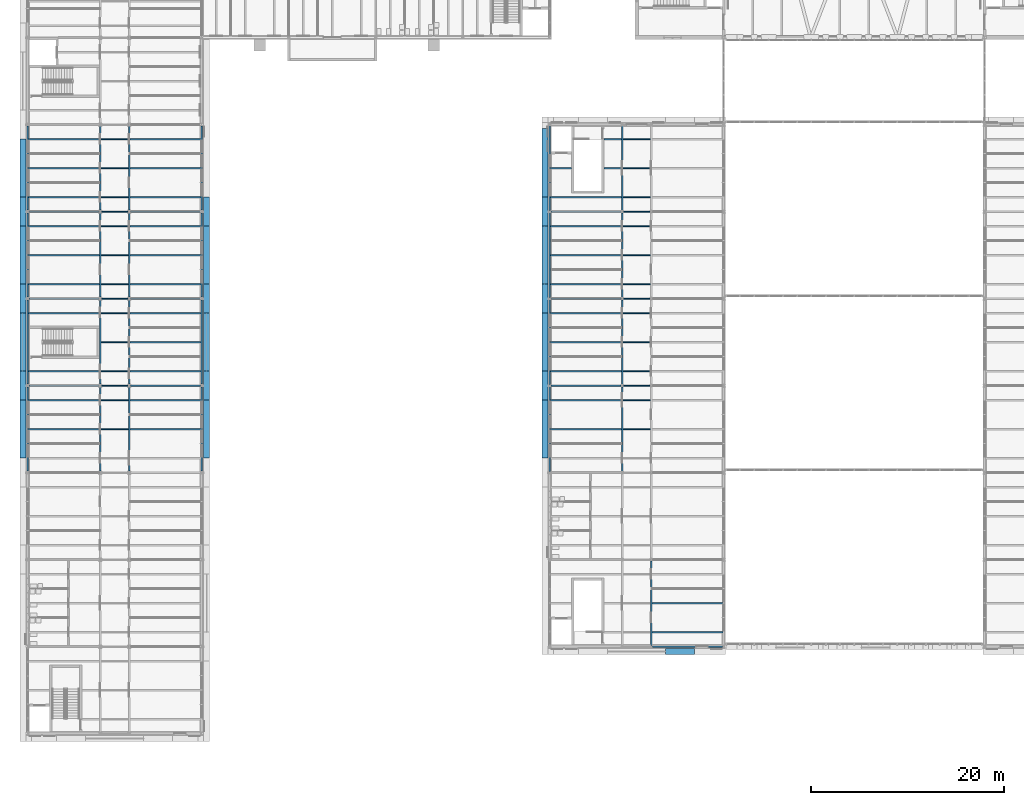
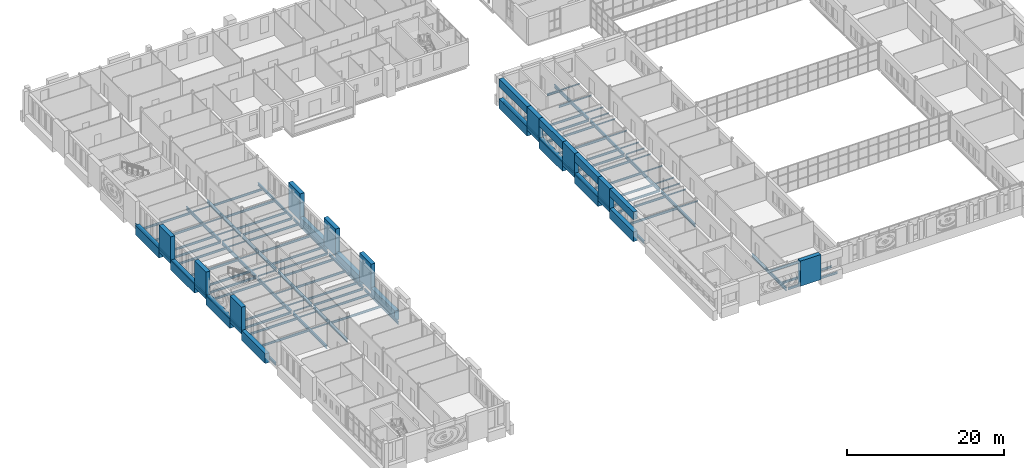
# One storey, part 21 of 154: 113 beams, 10 members.
"""IFC4 building model written with IfcOpenShell, lengths in metres."""

from ifc_helpers import new_model, si_unit, direction, frame, origin, origin_2d, place, context, subcontext, project, spatial, rectangle, i_section, extrude, material, material_profile, profile_set, type_object, element, save


model = new_model("IFC4")

# Units and contexts
model_context = context("Model", 3, precision=1e-05, world=origin(), true_north=direction((0.0, 1.0)))
body_context = subcontext(model_context, "Body", "Model", "MODEL_VIEW")
ifc_project = project(units=[si_unit("LENGTHUNIT", "METRE"), si_unit("AREAUNIT", "SQUARE_METRE"), si_unit("VOLUMEUNIT", "CUBIC_METRE"), si_unit("PLANEANGLEUNIT", "RADIAN"), si_unit("MASSUNIT", "GRAM", prefix="KILO")], contexts=[model_context])

# Site, building, storey
site_placement = place(None, origin())
site = spatial("IfcSite", under=ifc_project, at=site_placement, CompositionType="ELEMENT")
building_placement = place(site_placement, origin())
building = spatial("IfcBuilding", under=site, at=building_placement, Name="Golden Quay Civic Hall", CompositionType="ELEMENT")
storey_placement = place(building_placement, frame((0.0, 0.0, 14.39990234375)))
storey = spatial("IfcBuildingStorey", under=building, at=storey_placement, Name="L03", CompositionType="ELEMENT", Elevation=14.39990234375)

# Members
ifc_material_1 = material(Name="Concrete C40/50", Category="concrete")
ifc_material_profile_1 = material_profile(ifc_material_1, rectangle(XDim=3.0, YDim=0.60009765625, at=origin_2d()), Name="RC 3000x600")
ifc_profile_set_1 = profile_set([ifc_material_profile_1], Name="Concrete C40/50")
member_type = type_object("IfcMemberType", Name="Precast concrete facade pier 3000 x 600", PredefinedType="POST", material=ifc_profile_set_1)
for number, where, z_axis, x_axis, name in (
    (1, (-0.5, 27.0, 0.0), (0.0, 0.0, 1.0), (0.0, 1.0, 0.0), "Precast concrete facade pier 3000 x 600 L03 3"),
    (2, (-0.5, 36.0, 0.0), (0.0, 0.0, 1.0), (0.0, 1.0, 0.0), "Precast concrete facade pier 3000 x 600 L03 4"),
    (3, (-0.5, 45.0, 0.0), (0.0, 0.0, 1.0), (0.0, 1.0, 0.0), "Precast concrete facade pier 3000 x 600 L03 5"),
    (4, (18.5, 27.0, 0.0), (0.0, 0.0, 1.0), (0.0, 1.0, 0.0), "Precast concrete facade pier 3000 x 600 L03 14"),
    (5, (18.5, 36.0, 0.0), (0.0, 0.0, 1.0), (0.0, 1.0, 0.0), "Precast concrete facade pier 3000 x 600 L03 15"),
    (6, (18.5, 45.0, 0.0), (0.0, 0.0, 1.0), (0.0, 1.0, 0.0), "Precast concrete facade pier 3000 x 600 L03 16"),
):
    element("IfcMember", number, at=place(storey_placement, frame(where, z_axis=z_axis, x_axis=x_axis)), inside=storey, type_object=member_type, Name=name, PredefinedType="POST", context=body_context, shape_type="SweptSolid", body=[
        extrude(rectangle(XDim=3.0, YDim=0.60009765625, at=origin_2d()), origin(), (0.0, 0.0, 1.0), 4.2001953125),
    ])
for number, where, z_axis, x_axis, name in (
    (7, (53.5, 27.0, 0.0), (0.0, 0.0, 1.0), (0.0, 1.0, 0.0), "Precast concrete facade pier 3000 x 600 L03 20"),
    (8, (53.5, 36.0, 0.0), (0.0, 0.0, 1.0), (0.0, 1.0, 0.0), "Precast concrete facade pier 3000 x 600 L03 21"),
    (9, (53.5, 45.0, 0.0), (0.0, 0.0, 1.0), (0.0, 1.0, 0.0), "Precast concrete facade pier 3000 x 600 L03 22"),
):
    element("IfcMember", number, at=place(storey_placement, frame(where, z_axis=z_axis, x_axis=x_axis)), inside=storey, type_object=member_type, Name=name, PredefinedType="POST", context=body_context, shape_type="SweptSolid", body=[
        extrude(rectangle(XDim=3.0, YDim=0.60009765625, at=origin_2d()), origin(), (0.0, 0.0, 1.0), 3.68017578125),
    ])
member_placement = place(storey_placement, frame((67.5, -0.5, 0.0), z_axis=(0.0, 0.0, 1.0), x_axis=(1.0, 0.0, 0.0)))
element("IfcMember", 10, at=member_placement, inside=storey, type_object=member_type, Name="Precast concrete facade pier 3000 x 600 L03 26", PredefinedType="POST", context=body_context, shape_type="SweptSolid", body=[
    extrude(rectangle(XDim=3.0, YDim=0.60009765625, at=origin_2d()), origin(), (0.0, 0.0, 1.0), 3.920166015625),
])

# Beams
ifc_material_2 = material(Name="Concrete C40/50", Category="concrete")
ifc_material_profile_2 = material_profile(ifc_material_2, rectangle(XDim=0.60009765625, YDim=1.199951171875, at=origin_2d()), Name="RC 600x1200")
ifc_profile_set_2 = profile_set([ifc_material_profile_2], Name="Concrete C40/50")
beam_type_1 = type_object("IfcBeamType", Name="Precast concrete spandrel beam 600 x 1200", PredefinedType="SPANDREL", material=ifc_profile_set_2)
beam_1_placement = place(storey_placement, frame((53.5, 46.5, 3.080078125), z_axis=(0.0, 1.0, 0.0), x_axis=(-1.0, 0.0, 0.0)))
element("IfcBeam", 11, at=beam_1_placement, inside=storey, type_object=beam_type_1, Name="Precast concrete spandrel beam 600 x 1200 L03 1", PredefinedType="SPANDREL", context=body_context, shape_type="SweptSolid", body=[
    extrude(rectangle(XDim=0.60009765625, YDim=1.199951171875, at=origin_2d()), origin(), (0.0, 0.0, 1.0), 7.10009765625),
])
for number, where, z_axis, x_axis, name in (
    (12, (53.5, 37.5, 3.080078125), (0.0, 1.0, 0.0), (-1.0, 0.0, 0.0), "Precast concrete spandrel beam 600 x 1200 L03 5"),
    (13, (53.5, 28.5, 3.080078125), (0.0, 1.0, 0.0), (-1.0, 0.0, 0.0), "Precast concrete spandrel beam 600 x 1200 L03 6"),
    (14, (53.5, 19.5, 3.080078125), (0.0, 1.0, 0.0), (-1.0, 0.0, 0.0), "Precast concrete spandrel beam 600 x 1200 L03 7"),
):
    element("IfcBeam", number, at=place(storey_placement, frame(where, z_axis=z_axis, x_axis=x_axis)), inside=storey, type_object=beam_type_1, Name=name, PredefinedType="SPANDREL", context=body_context, shape_type="SweptSolid", body=[
        extrude(rectangle(XDim=0.60009765625, YDim=1.199951171875, at=origin_2d()), origin(), (0.0, 0.0, 1.0), 6.0),
    ])
ifc_material_3 = material(Name="Concrete C40/50", Category="concrete")
ifc_material_profile_3 = material_profile(ifc_material_3, rectangle(XDim=0.60009765625, YDim=1.5, at=origin_2d()), Name="RC 600x1500")
ifc_profile_set_3 = profile_set([ifc_material_profile_3], Name="Concrete C40/50")
beam_type_2 = type_object("IfcBeamType", Name="Precast concrete spandrel beam 600 x 1500", PredefinedType="SPANDREL", material=ifc_profile_set_3)
for number, where, z_axis, x_axis, name in (
    (15, (-0.5, 37.5, -0.14990234375), (0.0, 1.0, 0.0), (-1.0, 0.0, 0.0), "Precast concrete spandrel beam 600 x 1500 L03 1"),
    (16, (-0.5, 46.5, -0.14990234375), (0.0, 1.0, 0.0), (-1.0, 0.0, 0.0), "Precast concrete spandrel beam 600 x 1500 L03 8"),
    (17, (-0.5, 28.5, -0.14990234375), (0.0, 1.0, 0.0), (-1.0, 0.0, 0.0), "Precast concrete spandrel beam 600 x 1500 L03 9"),
    (18, (-0.5, 19.5, -0.14990234375), (0.0, 1.0, 0.0), (-1.0, 0.0, 0.0), "Precast concrete spandrel beam 600 x 1500 L03 10"),
    (19, (18.5, 19.5, -0.14990234375), (0.0, 1.0, 0.0), (-1.0, 0.0, 0.0), "Precast concrete spandrel beam 600 x 1500 L03 15"),
    (20, (18.5, 37.5, -0.14990234375), (0.0, 1.0, 0.0), (-1.0, 0.0, 0.0), "Precast concrete spandrel beam 600 x 1500 L03 16"),
    (21, (18.5, 28.5, -0.14990234375), (0.0, 1.0, 0.0), (-1.0, 0.0, 0.0), "Precast concrete spandrel beam 600 x 1500 L03 17"),
):
    element("IfcBeam", number, at=place(storey_placement, frame(where, z_axis=z_axis, x_axis=x_axis)), inside=storey, type_object=beam_type_2, Name=name, PredefinedType="SPANDREL", context=body_context, shape_type="SweptSolid", body=[
        extrude(rectangle(XDim=0.60009765625, YDim=1.5, at=origin_2d()), origin(), (0.0, 0.0, 1.0), 6.0),
    ])
beam_2_placement = place(storey_placement, frame((53.5, 46.5, -0.14990234375), z_axis=(0.0, 1.0, 0.0), x_axis=(-1.0, 0.0, 0.0)))
element("IfcBeam", 22, at=beam_2_placement, inside=storey, type_object=beam_type_2, Name="Precast concrete spandrel beam 600 x 1500 L03 20", PredefinedType="SPANDREL", context=body_context, shape_type="SweptSolid", body=[
    extrude(rectangle(XDim=0.60009765625, YDim=1.5, at=origin_2d()), origin(), (0.0, 0.0, 1.0), 7.10009765625),
])
for number, where, z_axis, x_axis, name in (
    (23, (53.5, 37.5, -0.14990234375), (0.0, 1.0, 0.0), (-1.0, 0.0, 0.0), "Precast concrete spandrel beam 600 x 1500 L03 24"),
    (24, (53.5, 28.5, -0.14990234375), (0.0, 1.0, 0.0), (-1.0, 0.0, 0.0), "Precast concrete spandrel beam 600 x 1500 L03 25"),
    (25, (53.5, 19.5, -0.14990234375), (0.0, 1.0, 0.0), (-1.0, 0.0, 0.0), "Precast concrete spandrel beam 600 x 1500 L03 26"),
):
    element("IfcBeam", number, at=place(storey_placement, frame(where, z_axis=z_axis, x_axis=x_axis)), inside=storey, type_object=beam_type_2, Name=name, PredefinedType="SPANDREL", context=body_context, shape_type="SweptSolid", body=[
        extrude(rectangle(XDim=0.60009765625, YDim=1.5, at=origin_2d()), origin(), (0.0, 0.0, 1.0), 6.0),
    ])
ifc_material_4 = material(Name="Steel S355", Category="steel")
ifc_material_profile_4 = material_profile(ifc_material_4, i_section(OverallWidth=0.10009765625, OverallDepth=0.199951171875, WebThickness=0.005615234375, FlangeThickness=0.008544921875, FilletRadius=0.011962890625, at=origin_2d()), Name="IPE 200")
ifc_profile_set_4 = profile_set([ifc_material_profile_4], Name="Steel S355")
beam_type_3 = type_object("IfcBeamType", Name="Steel beam IPE 200", PredefinedType="BEAM", material=ifc_profile_set_4)
for number, where, z_axis, x_axis, name in (
    (26, (7.64990234375, 27.0, -0.2998046875), (1.0, 0.0, 0.0), (0.0, 1.0, 0.0), "Beam S27-7.5"),
    (27, (7.64990234375, 36.0, -0.2998046875), (1.0, 0.0, 0.0), (0.0, 1.0, 0.0), "Beam S36-7.5"),
    (28, (7.64990234375, 45.0, -0.2998046875), (1.0, 0.0, 0.0), (0.0, 1.0, 0.0), "Beam S45-7.5"),
):
    element("IfcBeam", number, at=place(storey_placement, frame(where, z_axis=z_axis, x_axis=x_axis)), inside=storey, type_object=beam_type_3, Name=name, PredefinedType="BEAM", context=body_context, shape_type="SweptSolid", body=[
        extrude(i_section(OverallWidth=0.10009765625, OverallDepth=0.199951171875, WebThickness=0.005615234375, FlangeThickness=0.008544921875, FilletRadius=0.011962890625, at=origin_2d()), origin(), (0.0, 0.0, 1.0), 2.7001953125),
    ])
for number, where, z_axis, x_axis, name in (
    (29, (61.639892578125, 27.0, -0.2998046875), (1.0, 0.0, 0.0), (0.0, 1.0, 0.0), "Beam S27-61.5"),
    (30, (61.639892578125, 36.0, -0.2998046875), (1.0, 0.0, 0.0), (0.0, 1.0, 0.0), "Beam S36-61.5"),
    (31, (61.639892578125, 45.0, -0.2998046875), (1.0, 0.0, 0.0), (0.0, 1.0, 0.0), "Beam S45-61.5"),
):
    element("IfcBeam", number, at=place(storey_placement, frame(where, z_axis=z_axis, x_axis=x_axis)), inside=storey, type_object=beam_type_3, Name=name, PredefinedType="BEAM", context=body_context, shape_type="SweptSolid", body=[
        extrude(i_section(OverallWidth=0.10009765625, OverallDepth=0.199951171875, WebThickness=0.005615234375, FlangeThickness=0.008544921875, FilletRadius=0.011962890625, at=origin_2d()), origin(), (0.0, 0.0, 1.0), 2.72021484375),
    ])
ifc_material_5 = material(Name="Steel S355", Category="steel")
ifc_material_profile_5 = material_profile(ifc_material_5, i_section(OverallWidth=0.159912109375, OverallDepth=0.330078125, WebThickness=0.007568359375, FlangeThickness=0.011474609375, FilletRadius=0.01806640625, at=origin_2d()), Name="IPE 330")
ifc_profile_set_5 = profile_set([ifc_material_profile_5], Name="Steel S355")
beam_type_4 = type_object("IfcBeamType", Name="Steel beam IPE 330", PredefinedType="BEAM", material=ifc_profile_set_5)
for number, where, z_axis, x_axis, name in (
    (32, (0.14990234375, 27.0, -0.364990234375), (1.0, 0.0, 0.0), (0.0, 1.0, 0.0), "Beam S27-0"),
    (33, (10.64990234375, 27.0, -0.364990234375), (1.0, 0.0, 0.0), (0.0, 1.0, 0.0), "Beam S27-10.5"),
    (34, (0.14990234375, 36.0, -0.364990234375), (1.0, 0.0, 0.0), (0.0, 1.0, 0.0), "Beam S36-0"),
    (35, (10.64990234375, 36.0, -0.364990234375), (1.0, 0.0, 0.0), (0.0, 1.0, 0.0), "Beam S36-10.5"),
    (36, (0.14990234375, 45.0, -0.364990234375), (1.0, 0.0, 0.0), (0.0, 1.0, 0.0), "Beam S45-0"),
    (37, (10.64990234375, 45.0, -0.364990234375), (1.0, 0.0, 0.0), (0.0, 1.0, 0.0), "Beam S45-10.5"),
):
    element("IfcBeam", number, at=place(storey_placement, frame(where, z_axis=z_axis, x_axis=x_axis)), inside=storey, type_object=beam_type_4, Name=name, PredefinedType="BEAM", context=body_context, shape_type="SweptSolid", body=[
        extrude(i_section(OverallWidth=0.159912109375, OverallDepth=0.330078125, WebThickness=0.007568359375, FlangeThickness=0.011474609375, FilletRadius=0.01806640625, at=origin_2d()), origin(), (0.0, 0.0, 1.0), 7.2001953125),
    ])
beam_3_placement = place(storey_placement, frame((64.6201171875, 0.0, -0.364990234375), z_axis=(1.0, 0.0, 0.0), x_axis=(0.0, 1.0, 0.0)))
element("IfcBeam", 38, at=beam_3_placement, inside=storey, type_object=beam_type_4, Name="Beam S0-64.5", PredefinedType="BEAM", context=body_context, shape_type="SweptSolid", body=[
    extrude(i_section(OverallWidth=0.159912109375, OverallDepth=0.330078125, WebThickness=0.007568359375, FlangeThickness=0.011474609375, FilletRadius=0.01806640625, at=origin_2d()), origin(), (0.0, 0.0, 1.0), 7.259765625),
])
for number, where, z_axis, x_axis, name in (
    (39, (54.1201171875, 27.0, -0.364990234375), (1.0, 0.0, 0.0), (0.0, 1.0, 0.0), "Beam S27-54"),
    (40, (54.1201171875, 36.0, -0.364990234375), (1.0, 0.0, 0.0), (0.0, 1.0, 0.0), "Beam S36-54"),
    (41, (54.1201171875, 45.0, -0.364990234375), (1.0, 0.0, 0.0), (0.0, 1.0, 0.0), "Beam S45-54"),
):
    element("IfcBeam", number, at=place(storey_placement, frame(where, z_axis=z_axis, x_axis=x_axis)), inside=storey, type_object=beam_type_4, Name=name, PredefinedType="BEAM", context=body_context, shape_type="SweptSolid", body=[
        extrude(i_section(OverallWidth=0.159912109375, OverallDepth=0.330078125, WebThickness=0.007568359375, FlangeThickness=0.011474609375, FilletRadius=0.01806640625, at=origin_2d()), origin(), (0.0, 0.0, 1.0), 7.239990234375),
    ])
ifc_material_6 = material(Name="Steel S355", Category="steel")
ifc_material_profile_6 = material_profile(ifc_material_6, i_section(OverallWidth=0.179931640625, OverallDepth=0.39990234375, WebThickness=0.008544921875, FlangeThickness=0.013427734375, FilletRadius=0.02099609375, at=origin_2d()), Name="IPE 400")
ifc_profile_set_6 = profile_set([ifc_material_profile_6], Name="Steel S355")
beam_type_5 = type_object("IfcBeamType", Name="Steel beam IPE 400", PredefinedType="BEAM", material=ifc_profile_set_6)
for number, where, z_axis, x_axis, name in (
    (42, (0.0, 18.14501953125, -0.39990234375), (0.0, 1.0, 0.0), (-1.0, 0.0, 0.0), "Beam L0-18"),
    (43, (0.0, 27.14501953125, -0.39990234375), (0.0, 1.0, 0.0), (-1.0, 0.0, 0.0), "Beam L0-27"),
    (44, (0.0, 36.14501953125, -0.39990234375), (0.0, 1.0, 0.0), (-1.0, 0.0, 0.0), "Beam L0-36"),
    (45, (0.0, 45.14501953125, -0.39990234375), (0.0, 1.0, 0.0), (-1.0, 0.0, 0.0), "Beam L0-45"),
    (46, (18.0, 18.14501953125, -0.39990234375), (0.0, 1.0, 0.0), (-1.0, 0.0, 0.0), "Beam L18-18"),
    (47, (18.0, 27.14501953125, -0.39990234375), (0.0, 1.0, 0.0), (-1.0, 0.0, 0.0), "Beam L18-27"),
    (48, (18.0, 36.14501953125, -0.39990234375), (0.0, 1.0, 0.0), (-1.0, 0.0, 0.0), "Beam L18-36"),
    (49, (18.0, 45.14501953125, -0.39990234375), (0.0, 1.0, 0.0), (-1.0, 0.0, 0.0), "Beam L18-45"),
):
    element("IfcBeam", number, at=place(storey_placement, frame(where, z_axis=z_axis, x_axis=x_axis)), inside=storey, type_object=beam_type_5, Name=name, PredefinedType="BEAM", context=body_context, shape_type="SweptSolid", body=[
        extrude(i_section(OverallWidth=0.179931640625, OverallDepth=0.39990234375, WebThickness=0.008544921875, FlangeThickness=0.013427734375, FilletRadius=0.02099609375, at=origin_2d()), origin(), (0.0, 0.0, 1.0), 8.7099609375),
    ])
for number, where, z_axis, x_axis, name in (
    (50, (54.0, 18.114990234375, -0.39990234375), (0.0, 1.0, 0.0), (-1.0, 0.0, 0.0), "Beam L54-18"),
    (51, (54.0, 27.114990234375, -0.39990234375), (0.0, 1.0, 0.0), (-1.0, 0.0, 0.0), "Beam L54-27"),
    (52, (54.0, 36.114990234375, -0.39990234375), (0.0, 1.0, 0.0), (-1.0, 0.0, 0.0), "Beam L54-36"),
    (53, (54.0, 45.114990234375, -0.39990234375), (0.0, 1.0, 0.0), (-1.0, 0.0, 0.0), "Beam L54-45"),
):
    element("IfcBeam", number, at=place(storey_placement, frame(where, z_axis=z_axis, x_axis=x_axis)), inside=storey, type_object=beam_type_5, Name=name, PredefinedType="BEAM", context=body_context, shape_type="SweptSolid", body=[
        extrude(i_section(OverallWidth=0.179931640625, OverallDepth=0.39990234375, WebThickness=0.008544921875, FlangeThickness=0.013427734375, FilletRadius=0.02099609375, at=origin_2d()), origin(), (0.0, 0.0, 1.0), 8.77001953125),
    ])
ifc_material_7 = material(Name="Steel S355", Category="steel")
ifc_material_profile_7 = material_profile(ifc_material_7, i_section(OverallWidth=0.199951171875, OverallDepth=0.5, WebThickness=0.01025390625, FlangeThickness=0.01611328125, FilletRadius=0.02099609375, at=origin_2d()), Name="IPE 500")
ifc_profile_set_7 = profile_set([ifc_material_profile_7], Name="Steel S355")
beam_type_6 = type_object("IfcBeamType", Name="Steel beam IPE 500", PredefinedType="BEAM", material=ifc_profile_set_7)
for number, where, z_axis, x_axis, name in (
    (54, (7.5, 18.14990234375, -0.449951171875), (0.0, 1.0, 0.0), (-1.0, 0.0, 0.0), "Beam L7.5-18"),
    (55, (7.5, 27.14990234375, -0.449951171875), (0.0, 1.0, 0.0), (-1.0, 0.0, 0.0), "Beam L7.5-27"),
    (56, (7.5, 36.14990234375, -0.449951171875), (0.0, 1.0, 0.0), (-1.0, 0.0, 0.0), "Beam L7.5-36"),
    (57, (7.5, 45.14990234375, -0.449951171875), (0.0, 1.0, 0.0), (-1.0, 0.0, 0.0), "Beam L7.5-45"),
    (58, (10.5, 18.14990234375, -0.449951171875), (0.0, 1.0, 0.0), (-1.0, 0.0, 0.0), "Beam L10.5-18"),
    (59, (10.5, 27.14990234375, -0.449951171875), (0.0, 1.0, 0.0), (-1.0, 0.0, 0.0), "Beam L10.5-27"),
    (60, (10.5, 36.14990234375, -0.449951171875), (0.0, 1.0, 0.0), (-1.0, 0.0, 0.0), "Beam L10.5-36"),
    (61, (10.5, 45.14990234375, -0.449951171875), (0.0, 1.0, 0.0), (-1.0, 0.0, 0.0), "Beam L10.5-45"),
):
    element("IfcBeam", number, at=place(storey_placement, frame(where, z_axis=z_axis, x_axis=x_axis)), inside=storey, type_object=beam_type_6, Name=name, PredefinedType="BEAM", context=body_context, shape_type="SweptSolid", body=[
        extrude(i_section(OverallWidth=0.199951171875, OverallDepth=0.5, WebThickness=0.01025390625, FlangeThickness=0.01611328125, FilletRadius=0.02099609375, at=origin_2d()), origin(), (0.0, 0.0, 1.0), 8.7001953125),
    ])
for number, where, z_axis, x_axis, name in (
    (62, (61.5, 18.135009765625, -0.449951171875), (0.0, 1.0, 0.0), (-1.0, 0.0, 0.0), "Beam L61.5-18"),
    (63, (61.5, 27.135009765625, -0.449951171875), (0.0, 1.0, 0.0), (-1.0, 0.0, 0.0), "Beam L61.5-27"),
    (64, (61.5, 36.135009765625, -0.449951171875), (0.0, 1.0, 0.0), (-1.0, 0.0, 0.0), "Beam L61.5-36"),
):
    element("IfcBeam", number, at=place(storey_placement, frame(where, z_axis=z_axis, x_axis=x_axis)), inside=storey, type_object=beam_type_6, Name=name, PredefinedType="BEAM", context=body_context, shape_type="SweptSolid", body=[
        extrude(i_section(OverallWidth=0.199951171875, OverallDepth=0.5, WebThickness=0.01025390625, FlangeThickness=0.01611328125, FilletRadius=0.02099609375, at=origin_2d()), origin(), (0.0, 0.0, 1.0), 8.72998046875),
    ])
for number, where, z_axis, x_axis, name in (
    (65, (61.5, 45.135009765625, -0.449951171875), (0.0, 1.0, 0.0), (-1.0, 0.0, 0.0), "Beam L61.5-45"),
    (66, (64.5, 0.114990234375, -0.449951171875), (0.0, 1.0, 0.0), (-1.0, 0.0, 0.0), "Beam L64.5-0"),
):
    element("IfcBeam", number, at=place(storey_placement, frame(where, z_axis=z_axis, x_axis=x_axis)), inside=storey, type_object=beam_type_6, Name=name, PredefinedType="BEAM", context=body_context, shape_type="SweptSolid", body=[
        extrude(i_section(OverallWidth=0.199951171875, OverallDepth=0.5, WebThickness=0.01025390625, FlangeThickness=0.01611328125, FilletRadius=0.02099609375, at=origin_2d()), origin(), (0.0, 0.0, 1.0), 8.75),
    ])
ifc_material_8 = material(Name="Steel S355", Category="steel")
ifc_material_profile_8 = material_profile(ifc_material_8, i_section(OverallWidth=0.10009765625, OverallDepth=0.199951171875, WebThickness=0.005615234375, FlangeThickness=0.008544921875, FilletRadius=0.011962890625, at=origin_2d()), Name="IPE 200")
ifc_profile_set_8 = profile_set([ifc_material_profile_8], Name="Steel S355")
beam_type_7 = type_object("IfcBeamType", Name="Steel joist IPE 200", PredefinedType="JOIST", material=ifc_profile_set_8)
for number, where, z_axis, x_axis, name in (
    (67, (7.60009765625, 22.5, -0.2998046875), (1.0, 0.0, 0.0), (0.0, 1.0, 0.0), "Joist J22.5-7.5"),
    (68, (7.60009765625, 25.5, -0.2998046875), (1.0, 0.0, 0.0), (0.0, 1.0, 0.0), "Joist J25.5-7.5"),
    (69, (7.60009765625, 28.5, -0.2998046875), (1.0, 0.0, 0.0), (0.0, 1.0, 0.0), "Joist J28.5-7.5"),
    (70, (7.60009765625, 31.5, -0.2998046875), (1.0, 0.0, 0.0), (0.0, 1.0, 0.0), "Joist J31.5-7.5"),
    (71, (7.60009765625, 34.5, -0.2998046875), (1.0, 0.0, 0.0), (0.0, 1.0, 0.0), "Joist J34.5-7.5"),
    (72, (7.60009765625, 37.5, -0.2998046875), (1.0, 0.0, 0.0), (0.0, 1.0, 0.0), "Joist J37.5-7.5"),
    (73, (7.60009765625, 40.5, -0.2998046875), (1.0, 0.0, 0.0), (0.0, 1.0, 0.0), "Joist J40.5-7.5"),
    (74, (7.60009765625, 43.5, -0.2998046875), (1.0, 0.0, 0.0), (0.0, 1.0, 0.0), "Joist J43.5-7.5"),
    (75, (7.60009765625, 46.5, -0.2998046875), (1.0, 0.0, 0.0), (0.0, 1.0, 0.0), "Joist J46.5-7.5"),
    (76, (7.60009765625, 49.5, -0.2998046875), (1.0, 0.0, 0.0), (0.0, 1.0, 0.0), "Joist J49.5-7.5"),
    (77, (7.60009765625, 52.5, -0.2998046875), (1.0, 0.0, 0.0), (0.0, 1.0, 0.0), "Joist J52.5-7.5"),
    (78, (61.60009765625, 22.5, -0.2998046875), (1.0, 0.0, 0.0), (0.0, 1.0, 0.0), "Joist J22.5-61.5"),
    (79, (61.60009765625, 25.5, -0.2998046875), (1.0, 0.0, 0.0), (0.0, 1.0, 0.0), "Joist J25.5-61.5"),
    (80, (61.60009765625, 28.5, -0.2998046875), (1.0, 0.0, 0.0), (0.0, 1.0, 0.0), "Joist J28.5-61.5"),
    (81, (61.60009765625, 31.5, -0.2998046875), (1.0, 0.0, 0.0), (0.0, 1.0, 0.0), "Joist J31.5-61.5"),
    (82, (61.60009765625, 34.5, -0.2998046875), (1.0, 0.0, 0.0), (0.0, 1.0, 0.0), "Joist J34.5-61.5"),
    (83, (61.60009765625, 37.5, -0.2998046875), (1.0, 0.0, 0.0), (0.0, 1.0, 0.0), "Joist J37.5-61.5"),
    (84, (61.60009765625, 40.5, -0.2998046875), (1.0, 0.0, 0.0), (0.0, 1.0, 0.0), "Joist J40.5-61.5"),
    (85, (61.60009765625, 43.5, -0.2998046875), (1.0, 0.0, 0.0), (0.0, 1.0, 0.0), "Joist J43.5-61.5"),
    (86, (61.60009765625, 46.5, -0.2998046875), (1.0, 0.0, 0.0), (0.0, 1.0, 0.0), "Joist J46.5-61.5"),
    (87, (61.60009765625, 49.5, -0.2998046875), (1.0, 0.0, 0.0), (0.0, 1.0, 0.0), "Joist J49.5-61.5"),
    (88, (61.60009765625, 52.5, -0.2998046875), (1.0, 0.0, 0.0), (0.0, 1.0, 0.0), "Joist J52.5-61.5"),
):
    element("IfcBeam", number, at=place(storey_placement, frame(where, z_axis=z_axis, x_axis=x_axis)), inside=storey, type_object=beam_type_7, Name=name, PredefinedType="JOIST", context=body_context, shape_type="SweptSolid", body=[
        extrude(i_section(OverallWidth=0.10009765625, OverallDepth=0.199951171875, WebThickness=0.005615234375, FlangeThickness=0.008544921875, FilletRadius=0.011962890625, at=origin_2d()), origin(), (0.0, 0.0, 1.0), 2.7998046875),
    ])
ifc_material_9 = material(Name="Steel S355", Category="steel")
ifc_material_profile_9 = material_profile(ifc_material_9, i_section(OverallWidth=0.159912109375, OverallDepth=0.330078125, WebThickness=0.007568359375, FlangeThickness=0.011474609375, FilletRadius=0.01806640625, at=origin_2d()), Name="IPE 330")
ifc_profile_set_9 = profile_set([ifc_material_profile_9], Name="Steel S355")
beam_type_8 = type_object("IfcBeamType", Name="Steel joist IPE 330", PredefinedType="JOIST", material=ifc_profile_set_9)
for number, where, z_axis, x_axis, name in (
    (89, (0.090087890625, 22.5, -0.364990234375), (1.0, 0.0, 0.0), (0.0, 1.0, 0.0), "Joist J22.5-0"),
    (90, (10.60009765625, 22.5, -0.364990234375), (1.0, 0.0, 0.0), (0.0, 1.0, 0.0), "Joist J22.5-10.5"),
    (91, (0.090087890625, 25.5, -0.364990234375), (1.0, 0.0, 0.0), (0.0, 1.0, 0.0), "Joist J25.5-0"),
    (92, (10.60009765625, 25.5, -0.364990234375), (1.0, 0.0, 0.0), (0.0, 1.0, 0.0), "Joist J25.5-10.5"),
    (93, (0.090087890625, 28.5, -0.364990234375), (1.0, 0.0, 0.0), (0.0, 1.0, 0.0), "Joist J28.5-0"),
    (94, (10.60009765625, 28.5, -0.364990234375), (1.0, 0.0, 0.0), (0.0, 1.0, 0.0), "Joist J28.5-10.5"),
    (95, (10.60009765625, 31.5, -0.364990234375), (1.0, 0.0, 0.0), (0.0, 1.0, 0.0), "Joist J31.5-10.5"),
    (96, (0.090087890625, 34.5, -0.364990234375), (1.0, 0.0, 0.0), (0.0, 1.0, 0.0), "Joist J34.5-0"),
    (97, (10.60009765625, 34.5, -0.364990234375), (1.0, 0.0, 0.0), (0.0, 1.0, 0.0), "Joist J34.5-10.5"),
    (98, (0.090087890625, 37.5, -0.364990234375), (1.0, 0.0, 0.0), (0.0, 1.0, 0.0), "Joist J37.5-0"),
    (99, (10.60009765625, 37.5, -0.364990234375), (1.0, 0.0, 0.0), (0.0, 1.0, 0.0), "Joist J37.5-10.5"),
    (100, (0.090087890625, 40.5, -0.364990234375), (1.0, 0.0, 0.0), (0.0, 1.0, 0.0), "Joist J40.5-0"),
    (101, (10.60009765625, 40.5, -0.364990234375), (1.0, 0.0, 0.0), (0.0, 1.0, 0.0), "Joist J40.5-10.5"),
    (102, (0.090087890625, 43.5, -0.364990234375), (1.0, 0.0, 0.0), (0.0, 1.0, 0.0), "Joist J43.5-0"),
    (103, (10.60009765625, 43.5, -0.364990234375), (1.0, 0.0, 0.0), (0.0, 1.0, 0.0), "Joist J43.5-10.5"),
    (104, (0.090087890625, 46.5, -0.364990234375), (1.0, 0.0, 0.0), (0.0, 1.0, 0.0), "Joist J46.5-0"),
    (105, (10.60009765625, 46.5, -0.364990234375), (1.0, 0.0, 0.0), (0.0, 1.0, 0.0), "Joist J46.5-10.5"),
    (106, (0.090087890625, 49.5, -0.364990234375), (1.0, 0.0, 0.0), (0.0, 1.0, 0.0), "Joist J49.5-0"),
    (107, (10.60009765625, 49.5, -0.364990234375), (1.0, 0.0, 0.0), (0.0, 1.0, 0.0), "Joist J49.5-10.5"),
    (108, (0.090087890625, 52.5, -0.364990234375), (1.0, 0.0, 0.0), (0.0, 1.0, 0.0), "Joist J52.5-0"),
    (109, (10.60009765625, 52.5, -0.364990234375), (1.0, 0.0, 0.0), (0.0, 1.0, 0.0), "Joist J52.5-10.5"),
    (110, (64.60009765625, 1.5, -0.364990234375), (1.0, 0.0, 0.0), (0.0, 1.0, 0.0), "Joist J1.5-64.5"),
    (111, (64.60009765625, 4.5, -0.364990234375), (1.0, 0.0, 0.0), (0.0, 1.0, 0.0), "Joist J4.5-64.5"),
    (112, (54.090087890625, 22.5, -0.364990234375), (1.0, 0.0, 0.0), (0.0, 1.0, 0.0), "Joist J22.5-54"),
    (113, (54.090087890625, 25.5, -0.364990234375), (1.0, 0.0, 0.0), (0.0, 1.0, 0.0), "Joist J25.5-54"),
    (114, (54.090087890625, 28.5, -0.364990234375), (1.0, 0.0, 0.0), (0.0, 1.0, 0.0), "Joist J28.5-54"),
    (115, (54.090087890625, 31.5, -0.364990234375), (1.0, 0.0, 0.0), (0.0, 1.0, 0.0), "Joist J31.5-54"),
    (116, (54.090087890625, 34.5, -0.364990234375), (1.0, 0.0, 0.0), (0.0, 1.0, 0.0), "Joist J34.5-54"),
    (117, (54.090087890625, 37.5, -0.364990234375), (1.0, 0.0, 0.0), (0.0, 1.0, 0.0), "Joist J37.5-54"),
    (118, (54.090087890625, 40.5, -0.364990234375), (1.0, 0.0, 0.0), (0.0, 1.0, 0.0), "Joist J40.5-54"),
    (119, (54.090087890625, 43.5, -0.364990234375), (1.0, 0.0, 0.0), (0.0, 1.0, 0.0), "Joist J43.5-54"),
    (120, (54.090087890625, 46.5, -0.364990234375), (1.0, 0.0, 0.0), (0.0, 1.0, 0.0), "Joist J46.5-54"),
):
    element("IfcBeam", number, at=place(storey_placement, frame(where, z_axis=z_axis, x_axis=x_axis)), inside=storey, type_object=beam_type_8, Name=name, PredefinedType="JOIST", context=body_context, shape_type="SweptSolid", body=[
        extrude(i_section(OverallWidth=0.159912109375, OverallDepth=0.330078125, WebThickness=0.007568359375, FlangeThickness=0.011474609375, FilletRadius=0.01806640625, at=origin_2d()), origin(), (0.0, 0.0, 1.0), 7.309814453125),
    ])
beam_4_placement = place(storey_placement, frame((54.090087890625, 49.5, -0.364990234375), z_axis=(1.0, 0.0, 0.0), x_axis=(0.0, 1.0, 0.0)))
element("IfcBeam", 121, at=beam_4_placement, inside=storey, type_object=beam_type_8, Name="Joist J49.5-54-0", PredefinedType="JOIST", context=body_context, shape_type="SweptSolid", body=[
    extrude(i_section(OverallWidth=0.159912109375, OverallDepth=0.330078125, WebThickness=0.007568359375, FlangeThickness=0.011474609375, FilletRadius=0.01806640625, at=origin_2d()), origin(), (0.0, 0.0, 1.0), 2.159912109375),
])
for number, where, z_axis, x_axis, name in (
    (122, (59.60009765625, 49.5, -0.364990234375), (1.0, 0.0, 0.0), (0.0, 1.0, 0.0), "Joist J49.5-54-1"),
    (123, (59.60009765625, 52.5, -0.364990234375), (1.0, 0.0, 0.0), (0.0, 1.0, 0.0), "Joist J52.5-54-1"),
):
    element("IfcBeam", number, at=place(storey_placement, frame(where, z_axis=z_axis, x_axis=x_axis)), inside=storey, type_object=beam_type_8, Name=name, PredefinedType="JOIST", context=body_context, shape_type="SweptSolid", body=[
        extrude(i_section(OverallWidth=0.159912109375, OverallDepth=0.330078125, WebThickness=0.007568359375, FlangeThickness=0.011474609375, FilletRadius=0.01806640625, at=origin_2d()), origin(), (0.0, 0.0, 1.0), 1.7998046875),
    ])

save(model, "model.ifc")
